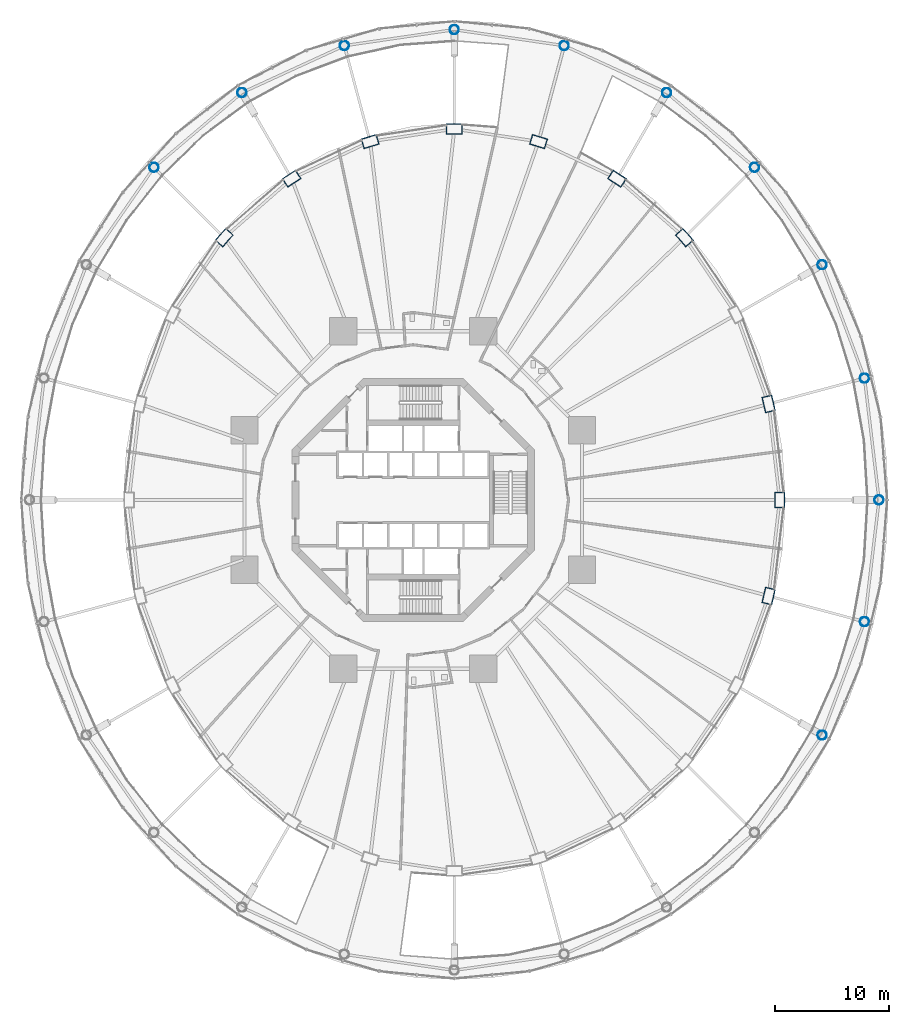
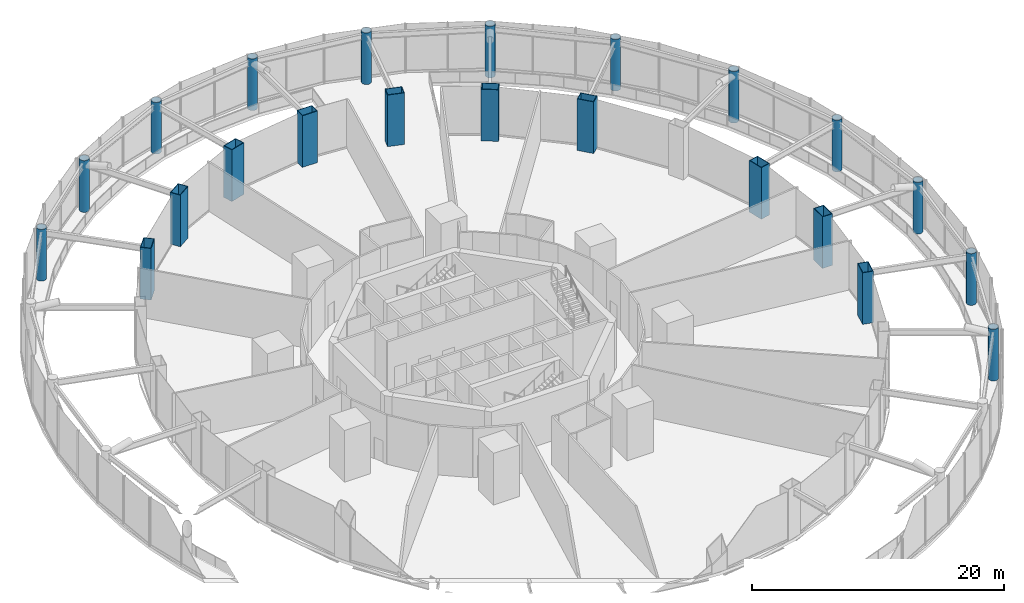
# One storey, part 2 of 52: 22 columns.
"""IFC4 building model written with IfcOpenShell, lengths in metres."""

from ifc_helpers import new_model, si_unit, direction, frame, origin, origin_2d, place, context, subcontext, project, spatial, hollow_rectangle, hollow_circle, extrude, material, material_profile, profile_set, type_object, element, save


model = new_model("IFC4")

# Units and contexts
model_context = context("Model", 3, precision=1e-05, world=origin(), true_north=direction((0.0, 1.0)))
body_context = subcontext(model_context, "Body", "Model", "MODEL_VIEW")
ifc_project = project(units=[si_unit("LENGTHUNIT", "METRE"), si_unit("AREAUNIT", "SQUARE_METRE"), si_unit("VOLUMEUNIT", "CUBIC_METRE"), si_unit("PLANEANGLEUNIT", "RADIAN"), si_unit("MASSUNIT", "GRAM", prefix="KILO")], contexts=[model_context])

# Site, building, storey
site_placement = place(None, origin())
site = spatial("IfcSite", under=ifc_project, at=site_placement, CompositionType="ELEMENT")
building_placement = place(site_placement, origin())
building = spatial("IfcBuilding", under=site, at=building_placement, Name="Nagisa Residences", CompositionType="ELEMENT")
storey_placement = place(building_placement, frame((0.0, 0.0, 22.0)))
storey = spatial("IfcBuildingStorey", under=building, at=storey_placement, Name="L04", CompositionType="ELEMENT", Elevation=22.0)

# Columns
ifc_material_1 = material(Name="Steel ASTM A572 Gr 65", Category="steel")
ifc_material_profile_1 = material_profile(ifc_material_1, hollow_circle(Radius=0.406494140625, WallThickness=0.02490234375, at=origin_2d()), Name="CHS 813x25")
ifc_profile_set_1 = profile_set([ifc_material_profile_1], Name="Steel ASTM A572 Gr 65")
column_type_1 = type_object("IfcColumnType", Name="Atrium column CHS 813x25", PredefinedType="COLUMN", material=ifc_profile_set_1)
for number, where, z_axis, x_axis, name in (
    (1, (40.800048828125, 0.0, 0.0), (0.0, 0.0, 1.0), (1.0, 0.0, 0.0), "col:L04:a00"),
    (2, (39.532470703125, 10.663330078125, 0.0), (0.0, 0.0, 1.0), (1.0, 0.0, 0.0), "col:L04:a01"),
    (3, (35.816162109375, 20.60009765625, 0.0), (0.0, 0.0, 1.0), (1.0, 0.0, 0.0), "col:L04:a02"),
    (4, (29.904296875, 29.1328125, 0.0), (0.0, 0.0, 1.0), (1.0, 0.0, 0.0), "col:L04:a03"),
    (5, (22.199951171875, 35.68017578125, 0.0), (0.0, 0.0, 1.0), (1.0, 0.0, 0.0), "col:L04:a04"),
    (6, (13.22802734375, 39.796142578125, 0.0), (0.0, 0.0, 1.0), (1.0, 0.0, 0.0), "col:L04:a05"),
    (7, (3.60009765625, 41.199951171875, 0.0), (0.0, 0.0, 1.0), (1.0, 0.0, 0.0), "col:L04:a06"),
    (8, (-6.028076171875, 39.796142578125, 0.0), (0.0, 0.0, 1.0), (1.0, 0.0, 0.0), "col:L04:a07"),
    (9, (-15.0, 35.68017578125, 0.0), (0.0, 0.0, 1.0), (1.0, 0.0, 0.0), "col:L04:a08"),
    (10, (-22.704345703125, 29.1328125, 0.0), (0.0, 0.0, 1.0), (1.0, 0.0, 0.0), "col:L04:a09"),
    (11, (35.816162109375, -20.60009765625, 0.0), (0.0, 0.0, 1.0), (1.0, 0.0, 0.0), "col:L04:a22"),
    (12, (39.532470703125, -10.663330078125, 0.0), (0.0, 0.0, 1.0), (1.0, 0.0, 0.0), "col:L04:a23"),
):
    element("IfcColumn", number, at=place(storey_placement, frame(where, z_axis=z_axis, x_axis=x_axis)), inside=storey, type_object=column_type_1, Name=name, PredefinedType="COLUMN", context=body_context, shape_type="SweptSolid", body=[
        extrude(hollow_circle(Radius=0.406494140625, WallThickness=0.02490234375, at=origin_2d()), origin(), (0.0, 0.0, 1.0), 5.0),
    ])
ifc_material_2 = material(Name="Steel ASTM A572 Gr 50", Category="steel")
ifc_material_profile_2 = material_profile(ifc_material_2, hollow_rectangle(XDim=1.39990234375, YDim=0.89990234375, WallThickness=0.050048828125, at=origin_2d()), Name="BX 1400x900x50")
ifc_profile_set_2 = profile_set([ifc_material_profile_2], Name="Steel ASTM A572 Gr 50")
column_type_2 = type_object("IfcColumnType", Name="Perimeter column BX 1400x900x50", PredefinedType="COLUMN", material=ifc_profile_set_2)
for number, where, z_axis, x_axis, name in (
    (13, (32.10009765625, 0.0, 0.0), (0.0, 0.0, 1.0), (0.0, 1.0, 0.0), "col:L04:p00"),
    (14, (31.12890625, 8.41162109375, 0.0), (0.0, 0.0, 1.0), (-0.229202013103, 0.973378876486, 0.0), "col:L04:p01"),
    (15, (23.75244140625, 22.98095703125, 0.0), (0.0, 0.0, 1.0), (-0.660114607735, 0.751164898445, 0.0), "col:L04:p03"),
    (16, (17.85009765625, 28.145751953125, 0.0), (0.0, 0.0, 1.0), (-0.835766105673, 0.54908561865, 0.0), "col:L04:p04"),
    (17, (10.976318359375, 31.392578125, 0.0), (0.0, 0.0, 1.0), (-0.956524583408, 0.291651712384, 0.0), "col:L04:p05"),
    (18, (3.60009765625, 32.5, 0.0), (0.0, 0.0, 1.0), (-1.0, 0.0, 0.0), "col:L04:p06"),
    (19, (-3.7763671875, 31.392578125, 0.0), (0.0, 0.0, 1.0), (-0.956524583408, -0.291651712384, 0.0), "col:L04:p07"),
    (20, (-10.64990234375, 28.145751953125, 0.0), (0.0, 0.0, 1.0), (-0.835766105673, -0.54908561865, 0.0), "col:L04:p08"),
    (21, (-16.552490234375, 22.98095703125, 0.0), (0.0, 0.0, 1.0), (-0.660114607735, -0.751164898445, 0.0), "col:L04:p09"),
    (22, (31.12890625, -8.41162109375, 0.0), (0.0, 0.0, 1.0), (0.229202013103, 0.973378876486, 0.0), "col:L04:p23"),
):
    element("IfcColumn", number, at=place(storey_placement, frame(where, z_axis=z_axis, x_axis=x_axis)), inside=storey, type_object=column_type_2, Name=name, PredefinedType="COLUMN", context=body_context, shape_type="SweptSolid", body=[
        extrude(hollow_rectangle(XDim=1.39990234375, YDim=0.89990234375, WallThickness=0.050048828125, at=origin_2d()), origin(), (0.0, 0.0, 1.0), 5.0),
    ])

save(model, "model.ifc")
